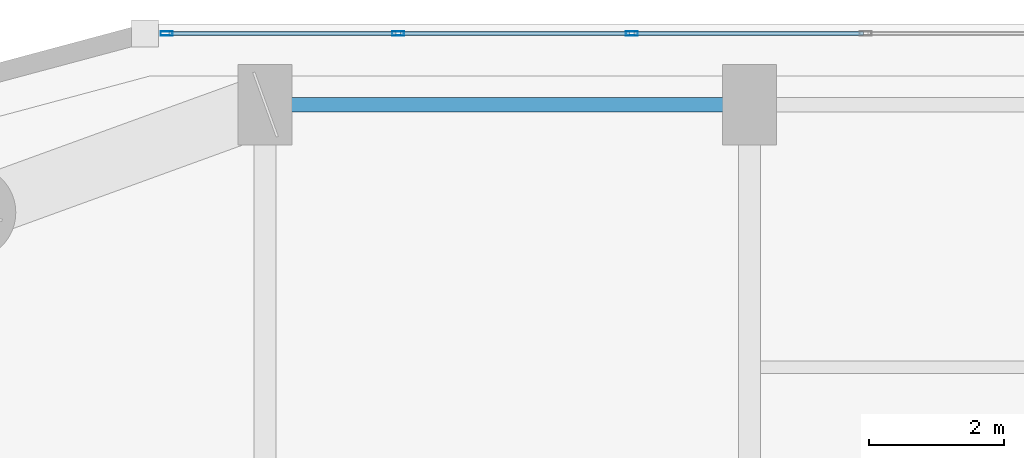
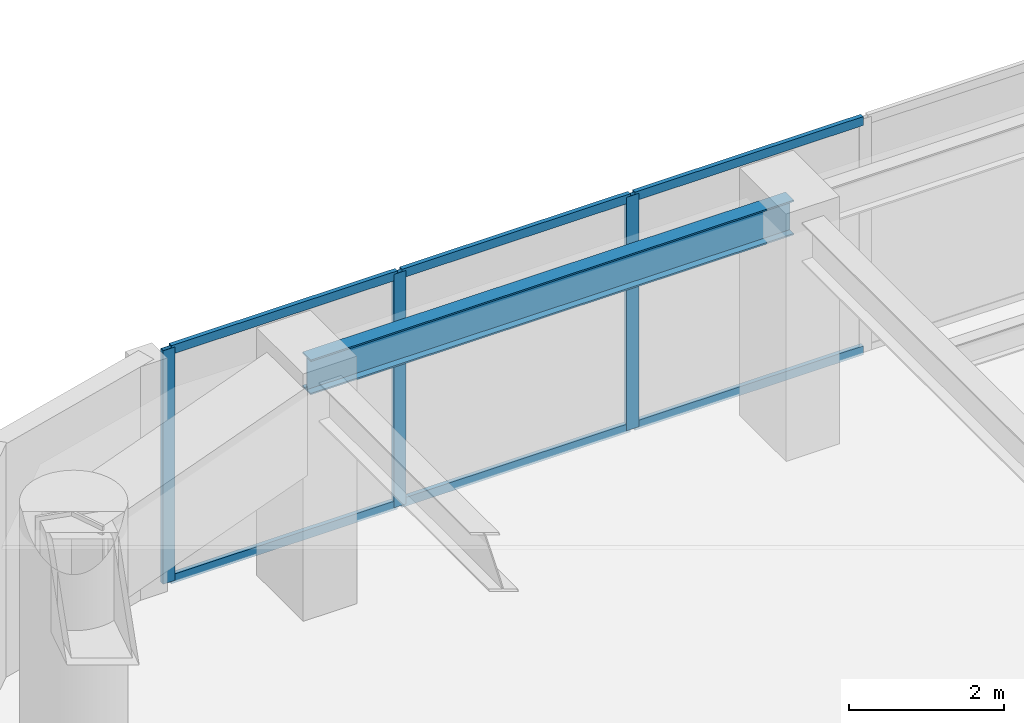
# One storey, part 17 of 31: 9 members, 1 beam, 1 element without a shape of its own.
"""IFC4 building model written with IfcOpenShell, lengths in metres."""

from ifc_helpers import new_model, si_unit, direction, frame, origin, origin_2d, place, context, subcontext, project, spatial, hollow_rectangle, i_section, extrude, material, layer, layer_set, material_profile, profile_set, type_object, element, aggregate, save


model = new_model("IFC4")

# Units and contexts
model_context = context("Model", 3, precision=1e-05, world=origin(), true_north=direction((0.0, 1.0)))
body_context = subcontext(model_context, "Body", "Model", "MODEL_VIEW")
ifc_project = project(units=[si_unit("LENGTHUNIT", "METRE"), si_unit("AREAUNIT", "SQUARE_METRE"), si_unit("VOLUMEUNIT", "CUBIC_METRE"), si_unit("PLANEANGLEUNIT", "RADIAN"), si_unit("MASSUNIT", "GRAM", prefix="KILO")], contexts=[model_context])

# Site, building, storey
site_placement = place(None, origin())
site = spatial("IfcSite", under=ifc_project, at=site_placement, CompositionType="ELEMENT")
building_placement = place(site_placement, origin())
building = spatial("IfcBuilding", under=site, at=building_placement, Name="Kiyonajd Concourse Tower", CompositionType="ELEMENT")
storey_placement = place(building_placement, frame((0.0, 0.0, 158.39990234375)))
storey = spatial("IfcBuildingStorey", under=building, at=storey_placement, Name="L40", CompositionType="ELEMENT", Elevation=158.39990234375)

# Beam
ifc_material_1 = material(Name="Steel ASTM A992 Grade 50", Category="steel")
ifc_material_profile_1 = material_profile(ifc_material_1, i_section(OverallWidth=0.214111328125, OverallDepth=0.549072265625, WebThickness=0.0146484375, FlangeThickness=0.023681640625, at=origin_2d()), Name="W530X138")
ifc_profile_set_1 = profile_set([ifc_material_profile_1], Name="Steel ASTM A992 Grade 50")
beam_type = type_object("IfcBeamType", Name="BM-SPAN-530A", PredefinedType="SPANDREL", material=ifc_profile_set_1)
beam_placement = place(storey_placement, frame((32.39990234375, 61.199951171875, 3.405517578125), z_axis=(-1.0, 0.0, 0.0), x_axis=(0.0, -1.0, 0.0)))
element("IfcBeam", 1, at=beam_placement, inside=storey, type_object=beam_type, Name="L40 Perimeter Bundled Tube Spandrel", PredefinedType="SPANDREL", context=body_context, shape_type="SweptSolid", body=[
    extrude(i_section(OverallWidth=0.214111328125, OverallDepth=0.549072265625, WebThickness=0.0146484375, FlangeThickness=0.023681640625, at=origin_2d()), origin(), (0.0, 0.0, 1.0), 7.199951171875),
])

# Curtain wall, members
ifc_material_2 = material(Name="Thermally Broken Anodised Aluminium", Category="aluminium")
ifc_layer = layer(ifc_material_2, 0.179931640625)
ifc_layer_set = layer_set([ifc_layer], Name="Thermally Broken Anodised Aluminium")
curtain_wall_type = type_object("IfcCurtainWallType", Name="CW-SYS-03", PredefinedType="NOTDEFINED", material=ifc_layer_set)
curtain_wall_placement = place(storey_placement, origin())
curtain_wall = element("IfcCurtainWall", 2, at=curtain_wall_placement, inside=storey, type_object=curtain_wall_type, Name="L40 Unitised Curtain Wall CW3", PredefinedType="NOTDEFINED")
ifc_material_profile_2 = material_profile(ifc_material_2, hollow_rectangle(XDim=0.06494140625, YDim=0.179931640625, WallThickness=0.00390625, at=origin_2d()), Name="MULL-65x180")
ifc_profile_set_2 = profile_set([ifc_material_profile_2], Name="Thermally Broken Anodised Aluminium")
member_type_1 = type_object("IfcMemberType", Name="MB-CW-MULL1", PredefinedType="MULLION", material=ifc_profile_set_2)
member_1_placement = place(storey_placement, frame((23.740966796875, 62.260009765625, 0.0), z_axis=(0.0, 0.0, 1.0), x_axis=(0.0, 1.0, 0.0)))
member_1 = element("IfcMember", 3, at=member_1_placement, type_object=member_type_1, Name="CW3 mullion 1", PredefinedType="MULLION", context=body_context, shape_type="SweptSolid", body=[
    extrude(hollow_rectangle(XDim=0.06494140625, YDim=0.179931640625, WallThickness=0.00390625, at=origin_2d()), origin(), (0.0, 0.0, 1.0), 3.68017578125),
])
member_2_placement = place(storey_placement, frame((27.180908203125, 62.260009765625, 0.0), z_axis=(0.0, 0.0, 1.0), x_axis=(0.0, 1.0, 0.0)))
member_2 = element("IfcMember", 4, at=member_2_placement, type_object=member_type_1, Name="CW3 mullion 2", PredefinedType="MULLION", context=body_context, shape_type="SweptSolid", body=[
    extrude(hollow_rectangle(XDim=0.06494140625, YDim=0.179931640625, WallThickness=0.00390625, at=origin_2d()), origin(), (0.0, 0.0, 1.0), 3.68017578125),
])
member_3_placement = place(storey_placement, frame((30.6533203125, 62.260009765625, 0.0), z_axis=(0.0, 0.0, 1.0), x_axis=(0.0, 1.0, 0.0)))
member_3 = element("IfcMember", 5, at=member_3_placement, type_object=member_type_1, Name="CW3 mullion 3", PredefinedType="MULLION", context=body_context, shape_type="SweptSolid", body=[
    extrude(hollow_rectangle(XDim=0.06494140625, YDim=0.179931640625, WallThickness=0.00390625, at=origin_2d()), origin(), (0.0, 0.0, 1.0), 3.68017578125),
])
ifc_material_profile_3 = material_profile(ifc_material_2, hollow_rectangle(XDim=0.06494140625, YDim=0.139892578125, WallThickness=0.00390625, at=origin_2d()), Name="TRAN-65x140")
ifc_profile_set_3 = profile_set([ifc_material_profile_3], Name="Thermally Broken Anodised Aluminium")
member_type_2 = type_object("IfcMemberType", Name="MB-CW-TRAN1", PredefinedType="USERDEFINED", material=ifc_profile_set_3)
member_4_placement = place(storey_placement, frame((23.7734375, 62.260009765625, 0.03271484375), z_axis=(1.0, 0.0, 0.0), x_axis=(0.0, 1.0, 0.0)))
member_4 = element("IfcMember", 6, at=member_4_placement, type_object=member_type_2, Name="CW3 transom 1.1", ObjectType="TRANSOM", PredefinedType="USERDEFINED", context=body_context, shape_type="SweptSolid", body=[
    extrude(hollow_rectangle(XDim=0.06494140625, YDim=0.139892578125, WallThickness=0.00390625, at=origin_2d()), origin(), (0.0, 0.0, 1.0), 3.374755859375),
])
member_5_placement = place(storey_placement, frame((23.7734375, 62.260009765625, 3.647705078125), z_axis=(1.0, 0.0, 0.0), x_axis=(0.0, 1.0, 0.0)))
member_5 = element("IfcMember", 7, at=member_5_placement, type_object=member_type_2, Name="CW3 transom 1.2", ObjectType="TRANSOM", PredefinedType="USERDEFINED", context=body_context, shape_type="SweptSolid", body=[
    extrude(hollow_rectangle(XDim=0.06494140625, YDim=0.139892578125, WallThickness=0.00390625, at=origin_2d()), origin(), (0.0, 0.0, 1.0), 3.374755859375),
])
member_6_placement = place(storey_placement, frame((27.21337890625, 62.260009765625, 0.03271484375), z_axis=(1.0, 0.0, 0.0), x_axis=(0.0, 1.0, 0.0)))
member_6 = element("IfcMember", 8, at=member_6_placement, type_object=member_type_2, Name="CW3 transom 2.1", ObjectType="TRANSOM", PredefinedType="USERDEFINED", context=body_context, shape_type="SweptSolid", body=[
    extrude(hollow_rectangle(XDim=0.06494140625, YDim=0.139892578125, WallThickness=0.00390625, at=origin_2d()), origin(), (0.0, 0.0, 1.0), 3.4072265625),
])
member_7_placement = place(storey_placement, frame((27.21337890625, 62.260009765625, 3.647705078125), z_axis=(1.0, 0.0, 0.0), x_axis=(0.0, 1.0, 0.0)))
member_7 = element("IfcMember", 9, at=member_7_placement, type_object=member_type_2, Name="CW3 transom 2.2", ObjectType="TRANSOM", PredefinedType="USERDEFINED", context=body_context, shape_type="SweptSolid", body=[
    extrude(hollow_rectangle(XDim=0.06494140625, YDim=0.139892578125, WallThickness=0.00390625, at=origin_2d()), origin(), (0.0, 0.0, 1.0), 3.4072265625),
])
member_8_placement = place(storey_placement, frame((30.685791015625, 62.260009765625, 0.03271484375), z_axis=(1.0, 0.0, 0.0), x_axis=(0.0, 1.0, 0.0)))
member_8 = element("IfcMember", 10, at=member_8_placement, type_object=member_type_2, Name="CW3 transom 3.1", ObjectType="TRANSOM", PredefinedType="USERDEFINED", context=body_context, shape_type="SweptSolid", body=[
    extrude(hollow_rectangle(XDim=0.06494140625, YDim=0.139892578125, WallThickness=0.00390625, at=origin_2d()), origin(), (0.0, 0.0, 1.0), 3.4072265625),
])
member_9_placement = place(storey_placement, frame((30.685791015625, 62.260009765625, 3.647705078125), z_axis=(1.0, 0.0, 0.0), x_axis=(0.0, 1.0, 0.0)))
member_9 = element("IfcMember", 11, at=member_9_placement, type_object=member_type_2, Name="CW3 transom 3.2", ObjectType="TRANSOM", PredefinedType="USERDEFINED", context=body_context, shape_type="SweptSolid", body=[
    extrude(hollow_rectangle(XDim=0.06494140625, YDim=0.139892578125, WallThickness=0.00390625, at=origin_2d()), origin(), (0.0, 0.0, 1.0), 3.4072265625),
])
aggregate(curtain_wall, [member_1, member_2, member_3, member_4, member_5, member_6, member_7, member_8, member_9])

save(model, "model.ifc")
